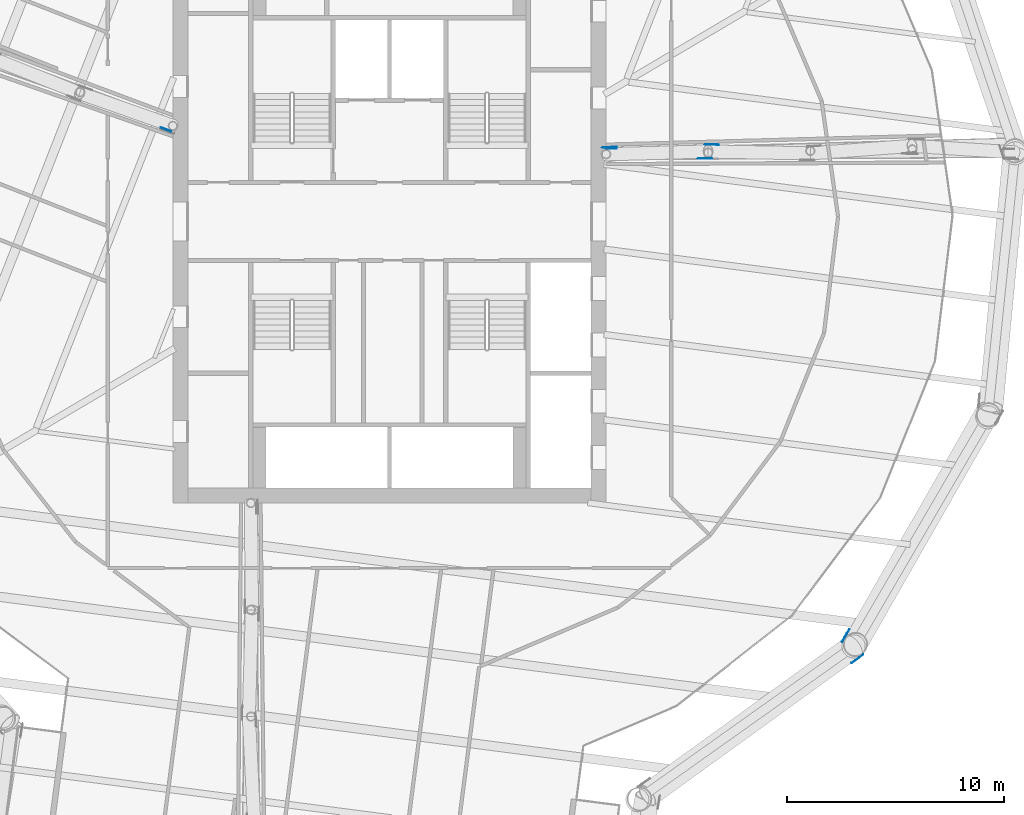
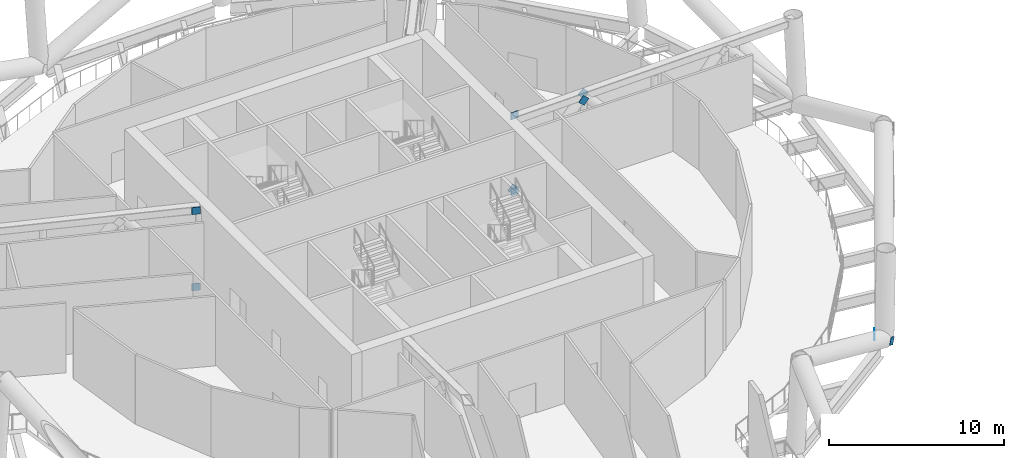
# One storey, part 23 of 36: 9 discrete accessories.
"""IFC4 building model written with IfcOpenShell, lengths in metres."""

import ifcopenshell
import ifcopenshell.guid

model = None  # the IFC model being written
_history = None  # IfcOwnerHistory: only IFC2X3 demands one
_inside = {}  # id of a spatial element -> (the spatial element, [elements in it])
_under = {}  # id of a project, library or spatial element -> (it, [spatial elements below it])
_declared = {}  # id of a project -> (the project, [libraries it declares])
_typed = {}  # id of a type object -> (the type object, [elements of that type])
_made_of = {}  # id of a material, layer set ... -> (it, [elements and type objects made of it])


def new_model(schema):
    """Start an empty IFC model of exactly this schema.

    Asked for "IFC4X3", IfcOpenShell would pick the latest addendum, in which some entities
    have other attributes; the version numbers below select the first issue.
    IFC2X3 requires an IfcOwnerHistory on every rooted entity: one is made here for all.
    """
    global model, _history
    if schema == "IFC4X3":
        model = ifcopenshell.file(schema_version=(4, 3, 0, 0))
    else:
        model = ifcopenshell.file(schema=schema)
    _inside.clear()
    _under.clear()
    _declared.clear()
    _typed.clear()
    _made_of.clear()
    _history = None
    if model.schema == "IFC2X3":
        org = make("IfcOrganization", Name="unknown")
        user = make(
            "IfcPersonAndOrganization",
            ThePerson=make("IfcPerson", FamilyName="unknown"),
            TheOrganization=org,
        )
        app = make(
            "IfcApplication",
            ApplicationDeveloper=org,
            Version="unknown",
            ApplicationFullName="unknown",
            ApplicationIdentifier="unknown",
        )
        _history = make(
            "IfcOwnerHistory",
            OwningUser=user,
            OwningApplication=app,
            ChangeAction="ADDED",
            CreationDate=0,
        )
    return model


def make(cls, **values):
    """One entity of the class cls with the attributes given. An attribute that is None is left unset."""
    return model.create_entity(
        cls, **{name: value for name, value in values.items() if value is not None}
    )


def rooted(cls, **values):
    """An entity with a GlobalId (a new one), such as an element, a storey or a relation."""
    return make(cls, GlobalId=ifcopenshell.guid.new(), OwnerHistory=_history, **values)


def si_unit(unit_type, name, prefix=None):
    """IfcSIUnit, for example si_unit("LENGTHUNIT", "METRE", prefix="MILLI")."""
    return make("IfcSIUnit", UnitType=unit_type, Prefix=prefix, Name=name)


def assignment(units):
    """IfcUnitAssignment: the units of a project."""
    return None if units is None else make("IfcUnitAssignment", Units=units)


def point(xyz):
    """IfcCartesianPoint."""
    return None if xyz is None else make("IfcCartesianPoint", Coordinates=xyz)


def direction(xyz):
    """IfcDirection."""
    return None if xyz is None else make("IfcDirection", DirectionRatios=xyz)


def frame(location, z_axis=None, x_axis=None):
    """IfcAxis2Placement3D, a coordinate frame: its origin and axes. An axis left out is left unset."""
    return make(
        "IfcAxis2Placement3D",
        Location=point(location),
        Axis=direction(z_axis),
        RefDirection=direction(x_axis),
    )


def frame_2d(location, x_axis=None):
    """IfcAxis2Placement2D, a coordinate frame in the plane: its origin and x axis."""
    return make(
        "IfcAxis2Placement2D", Location=point(location), RefDirection=direction(x_axis)
    )


def origin():
    """The frame at (0, 0, 0) with its axes left unset."""
    return frame((0.0, 0.0, 0.0))


def origin_2d():
    """The frame at (0, 0) in the plane with its x axis left unset."""
    return frame_2d((0.0, 0.0))


def place(relative_to, where):
    """IfcLocalPlacement: puts the frame where relative to a parent placement (None: the world)."""
    return make(
        "IfcLocalPlacement", PlacementRelTo=relative_to, RelativePlacement=where
    )


def context(
    kind, dimensions, precision=None, world=None, true_north=None, identifier=None
):
    """IfcGeometricRepresentationContext, for example the 3D "Model" context."""
    return make(
        "IfcGeometricRepresentationContext",
        ContextIdentifier=identifier,
        ContextType=kind,
        CoordinateSpaceDimension=dimensions,
        Precision=precision,
        WorldCoordinateSystem=world,
        TrueNorth=true_north,
    )


def subcontext(parent, identifier, kind, view, scale=None):
    """IfcGeometricRepresentationSubContext, for example "Body" below "Model"."""
    return make(
        "IfcGeometricRepresentationSubContext",
        ContextIdentifier=identifier,
        ContextType=kind,
        ParentContext=parent,
        TargetScale=scale,
        TargetView=view,
    )


def project(units=None, contexts=None):
    """IfcProject with its units and contexts."""
    return rooted(
        "IfcProject",
        Name="project",
        RepresentationContexts=contexts,
        UnitsInContext=assignment(units),
    )


def spatial(cls, under=None, at=None, **own):
    """A site, building, storey or space (cls), placed at a placement, below another one or the project."""
    s = rooted(cls, ObjectPlacement=at, **own)
    if under is not None:
        _under.setdefault(under.id(), (under, []))[1].append(s)
    return s


def profile(cls, at=None, kind="AREA", **sizes):
    """A parametric profile (cls). Its sizes go by their IFC names, for example OverallWidth=200.0."""
    return make(cls, ProfileType=kind, Position=at, **sizes)


def rectangle(**sizes):
    """IfcRectangleProfileDef."""
    return profile("IfcRectangleProfileDef", **sizes)


def extrude(swept, where, along, depth):
    """IfcExtrudedAreaSolid: the profile swept, set in the frame where, extruded along a direction by depth."""
    return make(
        "IfcExtrudedAreaSolid",
        SweptArea=swept,
        Position=where,
        ExtrudedDirection=direction(along),
        Depth=depth,
    )


def shape(context_of_items, identifier, shape_type, items):
    """IfcShapeRepresentation: the items that make up one representation, for example the "Body"."""
    return make(
        "IfcShapeRepresentation",
        ContextOfItems=context_of_items,
        RepresentationIdentifier=identifier,
        RepresentationType=shape_type,
        Items=items,
    )


def material(Name=None, Category=None):
    """IfcMaterial."""
    return make("IfcMaterial", Name=Name, Category=Category)


def material_profile(
    of_material, cross_section, Name=None, Category=None, Priority=None
):
    """IfcMaterialProfile: a cross section and its material."""
    return make(
        "IfcMaterialProfile",
        Name=Name,
        Material=of_material,
        Profile=cross_section,
        Priority=Priority,
        Category=Category,
    )


def profile_set(profiles, Name=None, composite=None):
    """IfcMaterialProfileSet."""
    return make(
        "IfcMaterialProfileSet",
        Name=Name,
        MaterialProfiles=profiles,
        CompositeProfile=composite,
    )


def made_of(thing, what):
    """Note that an element or type object is made of a material, layer set ...; save() writes the relation."""
    if what is not None:
        _made_of.setdefault(what.id(), (what, []))[1].append(thing)
    return thing


def type_object(cls, material=None, **own):
    """A type object (cls), such as IfcWallType, which elements share."""
    return made_of(rooted(cls, **own), material)


def element(
    cls,
    number,
    at=None,
    inside=None,
    cuts=None,
    type_object=None,
    material=None,
    context=None,
    identifier="Body",
    shape_type=None,
    held_by="IfcProductDefinitionShape",
    body=None,
    shapes=None,
    **own,
):
    """One element of the class cls, such as IfcWall. Its Tag is "e" and its number.

    at: its placement. inside: the storey or other place that contains it. cuts: it is an
    opening in that element (IfcRelVoidsElement). A single representation is given by context,
    identifier, shape_type and body (its items); several are given by shapes. held_by: the class
    of the entity that holds the representations. save() writes the other relations.
    """
    e = rooted(cls, Tag="e%d" % number, ObjectPlacement=at, **own)
    if body is not None:
        shapes = [shape(context, identifier, shape_type, body)]
    if shapes is not None:
        e.Representation = make(held_by, Representations=shapes)
    if inside is not None:
        _inside.setdefault(inside.id(), (inside, []))[1].append(e)
    if cuts is not None:
        rooted(
            "IfcRelVoidsElement", RelatingBuildingElement=cuts, RelatedOpeningElement=e
        )
    if type_object is not None:
        _typed.setdefault(type_object.id(), (type_object, []))[1].append(e)
    return made_of(e, material)


def aggregate(whole, parts):
    """IfcRelAggregates: a whole, such as a stair, and the parts it consists of."""
    return rooted("IfcRelAggregates", RelatingObject=whole, RelatedObjects=parts)


def save(model, path):
    """Write the relations noted so far, then the file.

    IfcRelAggregates (storeys below a building ...), IfcRelContainedInSpatialStructure (elements
    in a storey), IfcRelDefinesByType, IfcRelAssociatesMaterial and IfcRelDeclares: one each for
    every whole, place, type object, material and project.
    """
    for whole, parts in _under.values():
        aggregate(whole, parts)
    for where, things in _inside.values():
        rooted(
            "IfcRelContainedInSpatialStructure",
            RelatedElements=things,
            RelatingStructure=where,
        )
    for kind, things in _typed.values():
        rooted("IfcRelDefinesByType", RelatedObjects=things, RelatingType=kind)
    for what, things in _made_of.values():
        rooted("IfcRelAssociatesMaterial", RelatedObjects=things, RelatingMaterial=what)
    for by, libraries in _declared.values():
        rooted("IfcRelDeclares", RelatingContext=by, RelatedDefinitions=libraries)
    model.write(path)


model = new_model("IFC4")

# Units and contexts
model_context = context("Model", 3, precision=1e-05, world=origin(), true_north=direction((0.0, 1.0)))
body_context = subcontext(model_context, "Body", "Model", "MODEL_VIEW")
ifc_project = project(units=[si_unit("LENGTHUNIT", "METRE"), si_unit("AREAUNIT", "SQUARE_METRE"), si_unit("VOLUMEUNIT", "CUBIC_METRE"), si_unit("PLANEANGLEUNIT", "RADIAN"), si_unit("MASSUNIT", "GRAM", prefix="KILO")], contexts=[model_context])

# Site, building, storey
site_placement = place(None, origin())
site = spatial("IfcSite", under=ifc_project, at=site_placement, CompositionType="ELEMENT")
building_placement = place(site_placement, origin())
building = spatial("IfcBuilding", under=site, at=building_placement, Name="Tarsis Ring Headquarters", CompositionType="ELEMENT")
storey_placement = place(building_placement, frame((0.0, 0.0, 194.39990234375)))
storey = spatial("IfcBuildingStorey", under=building, at=storey_placement, Name="L45", CompositionType="ELEMENT", Elevation=194.39990234375)

# Discrete accessories
ifc_material = material(Name="Structural steel S355", Category="steel")
ifc_material_profile = material_profile(ifc_material, rectangle(XDim=0.02490234375, YDim=0.5, at=origin_2d()), Name="PL 25x500")
ifc_profile_set = profile_set([ifc_material_profile], Name="Structural steel S355")
discrete_accessory_type_1 = type_object("IfcDiscreteAccessoryType", Name="Gusset plate Belt truss 25", PredefinedType="BRACKET", material=ifc_profile_set)
for number, where, z_axis, x_axis, name in (
    (1, (21.7763671875, -20.060546875, 0.0), (-0.721681408125, -0.522462183148, 0.454102645166), (0.586410629145, -0.810013934464, 0.0), "Gusset plate GP4"),
    (2, (20.94580078125, -19.31396484375, 0.0), (0.449303330987, 0.784815709669, 0.426838164437), (-0.867844062968, 0.49683667575, 0.0), "Gusset plate GP4"),
):
    element("IfcDiscreteAccessory", number, at=place(storey_placement, frame(where, z_axis=z_axis, x_axis=x_axis)), inside=storey, type_object=discrete_accessory_type_1, Name=name, PredefinedType="BRACKET", context=body_context, shape_type="SweptSolid", body=[
        extrude(rectangle(XDim=0.02490234375, YDim=0.5, at=origin_2d()), origin(), (0.0, 0.0, 1.0), 0.5),
    ])
discrete_accessory_type_2 = type_object("IfcDiscreteAccessoryType", Name="Gusset plate Outrigger 25", PredefinedType="BRACKET", material=ifc_profile_set)
discrete_accessory_1_placement = place(storey_placement, frame((9.9912109375, 3.417236328125, 0.254150390625), z_axis=(0.661675127264, 0.018067881704, 0.749572930148), x_axis=(-0.027296098529, 0.999627392084, 0.0)))
element("IfcDiscreteAccessory", 3, at=discrete_accessory_1_placement, inside=storey, type_object=discrete_accessory_type_2, Name="Gusset plate GP1", PredefinedType="BRACKET", context=body_context, shape_type="SweptSolid", body=[
    extrude(rectangle(XDim=0.02490234375, YDim=0.5, at=origin_2d()), origin(), (0.0, 0.0, 1.0), 0.5),
])
discrete_accessory_2_placement = place(storey_placement, frame((14.71435546875, 2.911865234375, 5.586181640625), z_axis=(-0.661432986888, -0.018061269753, -0.749786765948), x_axis=(0.027296098529, -0.999627392084, 0.0)))
element("IfcDiscreteAccessory", 4, at=discrete_accessory_2_placement, inside=storey, type_object=discrete_accessory_type_2, Name="Gusset plate GP1", PredefinedType="BRACKET", context=body_context, shape_type="SweptSolid", body=[
    extrude(rectangle(XDim=0.02490234375, YDim=0.5, at=origin_2d()), origin(), (0.0, 0.0, 1.0), 0.500244140625),
])
discrete_accessory_3_placement = place(storey_placement, frame((14.71142578125, 3.54638671875, 5.586181640625), z_axis=(0.663556341921, -0.01220670239, -0.74802672246), x_axis=(0.018392767453, 0.999830838745, 0.0)))
element("IfcDiscreteAccessory", 5, at=discrete_accessory_3_placement, inside=storey, type_object=discrete_accessory_type_2, Name="Gusset plate GP1", PredefinedType="BRACKET", context=body_context, shape_type="SweptSolid", body=[
    extrude(rectangle(XDim=0.02490234375, YDim=0.5, at=origin_2d()), origin(), (0.0, 0.0, 1.0), 0.5),
])
discrete_accessory_type_3 = type_object("IfcDiscreteAccessoryType", Name="Gusset plate Outrigger chord 25", PredefinedType="BRACKET", material=ifc_profile_set)
for number, where, z_axis, x_axis, name in (
    (6, (9.998779296875, 3.366455078125, 0.254150390625), (0.999988079284, 0.004882754293, 0.0), (-0.004882754293, 0.999988079284, 0.0), "Gusset plate GP3"),
    (7, (9.99267578125, 3.366455078125, 5.586181640625), (0.999626004236, 0.02734687652, 0.0), (-0.02734687652, 0.999626004236, 0.0), "Gusset plate GP3"),
    (8, (-10.093505859375, 4.1611328125, 0.254150390625), (-0.936529689531, 0.350588277937, 0.0), (-0.350588277937, -0.936529689531, 0.0), "Gusset plate GP3"),
    (9, (-10.08837890625, 4.159423828125, 5.586181640625), (-0.943431243363, 0.331568226834, 0.0), (-0.331568226834, -0.943431243363, 0.0), "Gusset plate GP3"),
):
    element("IfcDiscreteAccessory", number, at=place(storey_placement, frame(where, z_axis=z_axis, x_axis=x_axis)), inside=storey, type_object=discrete_accessory_type_3, Name=name, PredefinedType="BRACKET", context=body_context, shape_type="SweptSolid", body=[
        extrude(rectangle(XDim=0.02490234375, YDim=0.5, at=origin_2d()), origin(), (0.0, 0.0, 1.0), 0.5),
    ])

save(model, "model.ifc")
